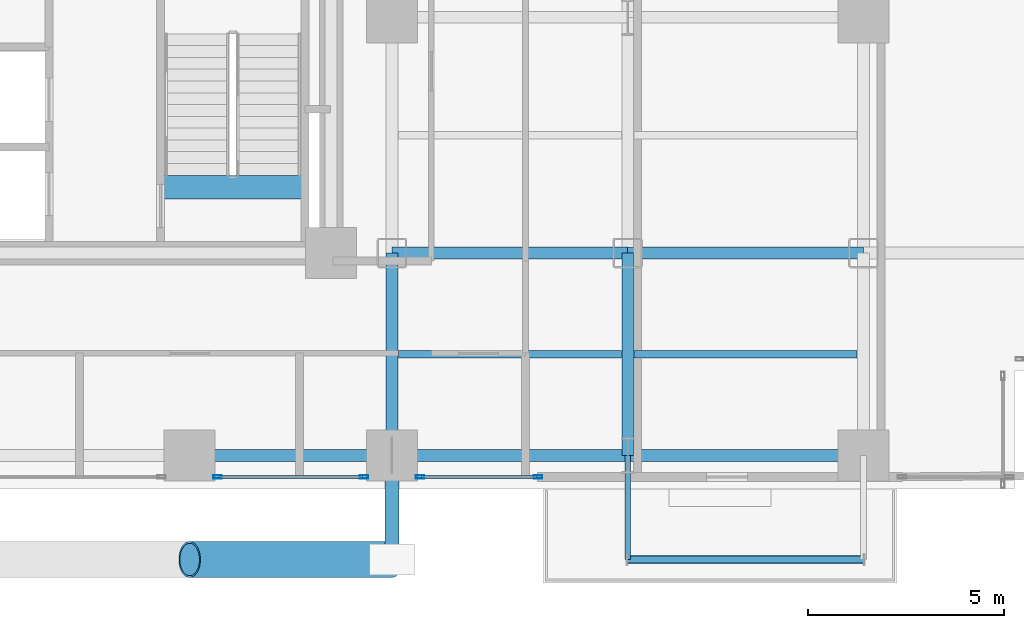
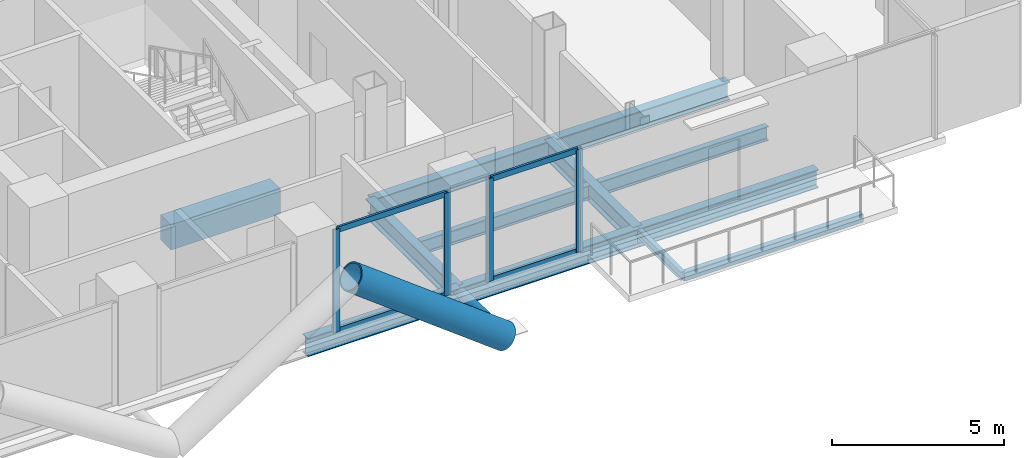
# One storey, part 8 of 27: 12 beams, 10 members, 2 elements without a shape of their own.
"""IFC4 building model written with IfcOpenShell, lengths in metres."""

from ifc_helpers import new_model, si_unit, direction, frame, origin, origin_2d, place, context, subcontext, project, spatial, rectangle, hollow_rectangle, hollow_circle, i_section, extrude, material, layer, layer_set, material_profile, profile_set, type_object, element, aggregate, save


model = new_model("IFC4")

# Units and contexts
model_context = context("Model", 3, precision=1e-05, world=origin(), true_north=direction((0.0, 1.0)))
body_context = subcontext(model_context, "Body", "Model", "MODEL_VIEW")
ifc_project = project(units=[si_unit("LENGTHUNIT", "METRE"), si_unit("AREAUNIT", "SQUARE_METRE"), si_unit("VOLUMEUNIT", "CUBIC_METRE"), si_unit("PLANEANGLEUNIT", "RADIAN"), si_unit("MASSUNIT", "GRAM", prefix="KILO"), si_unit("THERMODYNAMICTEMPERATUREUNIT", "KELVIN"), si_unit("POWERUNIT", "WATT")], contexts=[model_context])

# Site, building, storey
site_placement = place(None, origin())
site = spatial("IfcSite", under=ifc_project, at=site_placement, CompositionType="ELEMENT")
building_placement = place(site_placement, origin())
building = spatial("IfcBuilding", under=site, at=building_placement, Name="Svarakhadi Broadcast Tower", CompositionType="ELEMENT")
storey_placement = place(building_placement, frame((0.0, 0.0, 75.300048828125)))
storey = spatial("IfcBuildingStorey", under=building, at=storey_placement, Name="L17", CompositionType="ELEMENT", Elevation=75.300048828125)

# Beams
ifc_material_1 = material(Name="Steel S355J2 (IS 2062 E350C)", Category="steel")
ifc_material_profile_1 = material_profile(ifc_material_1, i_section(OverallWidth=0.199951171875, OverallDepth=0.5, WebThickness=0.01025390625, FlangeThickness=0.01611328125, FilletRadius=0.02099609375, at=origin_2d()), Name="NPB 500x200x91")
ifc_profile_set_1 = profile_set([ifc_material_profile_1], Name="Steel S355J2 (IS 2062 E350C)")
beam_type_1 = type_object("IfcBeamType", Name="Beam_NPB500", PredefinedType="BEAM", material=ifc_profile_set_1)
for number, where, z_axis, x_axis, name in (
    (1, (35.31005859375, 3.425048828125, -0.5), (1.0, 0.0, 0.0), (0.0, 1.0, 0.0), "L17 Secondary Composite Beam SB022"),
    (2, (41.31005859375, 3.425048828125, -0.5), (1.0, 0.0, 0.0), (0.0, 1.0, 0.0), "L17 Secondary Composite Beam SB025"),
):
    element("IfcBeam", number, at=place(storey_placement, frame(where, z_axis=z_axis, x_axis=x_axis)), inside=storey, type_object=beam_type_1, Name=name, PredefinedType="BEAM", context=body_context, shape_type="SweptSolid", body=[
        extrude(i_section(OverallWidth=0.199951171875, OverallDepth=0.5, WebThickness=0.01025390625, FlangeThickness=0.01611328125, FilletRadius=0.02099609375, at=origin_2d()), origin(), (0.0, 0.0, 1.0), 5.679931640625),
    ])

# Curtain wall, members
ifc_material_2 = material(Name="Anodised Bronze Aluminium AA 6063-T6", Category="aluminium")
ifc_layer = layer(ifc_material_2, 0.219970703125)
ifc_layer_set = layer_set([ifc_layer], Name="Anodised Bronze Aluminium AA 6063-T6")
curtain_wall_type = type_object("IfcCurtainWallType", Name="CW_Sys_02", PredefinedType="NOTDEFINED", material=ifc_layer_set)
curtain_wall_1_placement = place(storey_placement, origin())
curtain_wall_1 = element("IfcCurtainWall", 3, at=curtain_wall_1_placement, inside=storey, type_object=curtain_wall_type, Name="L17 South Curtain Wall 17 Bay 1", PredefinedType="NOTDEFINED")
ifc_material_profile_2 = material_profile(ifc_material_2, hollow_rectangle(XDim=0.0849609375, YDim=0.219970703125, WallThickness=0.006103515625, at=origin_2d()), Name="ALU MULLION 220x85x6")
ifc_profile_set_2 = profile_set([ifc_material_profile_2], Name="Anodised Bronze Aluminium AA 6063-T6")
member_type_1 = type_object("IfcMemberType", Name="CW_Sys_02_Mul", PredefinedType="MULLION", material=ifc_profile_set_2)
member_1_placement = place(storey_placement, frame((38.867431640625, 0.300048828125, 0.0), z_axis=(0.0, 0.0, 1.0), x_axis=(0.0, -1.0, 0.0)))
member_1 = element("IfcMember", 4, at=member_1_placement, type_object=member_type_1, Name="CW-02 mullion 1", PredefinedType="MULLION", context=body_context, shape_type="SweptSolid", body=[
    extrude(hollow_rectangle(XDim=0.0849609375, YDim=0.219970703125, WallThickness=0.006103515625, at=origin_2d()), origin(), (0.0, 0.0, 1.0), 3.64990234375),
])
member_2_placement = place(storey_placement, frame((35.862548828125, 0.300048828125, 0.0), z_axis=(0.0, 0.0, 1.0), x_axis=(0.0, -1.0, 0.0)))
member_2 = element("IfcMember", 5, at=member_2_placement, type_object=member_type_1, Name="CW-02 mullion 2", PredefinedType="MULLION", context=body_context, shape_type="SweptSolid", body=[
    extrude(hollow_rectangle(XDim=0.0849609375, YDim=0.219970703125, WallThickness=0.006103515625, at=origin_2d()), origin(), (0.0, 0.0, 1.0), 3.64990234375),
])

curtain_wall_2_placement = place(storey_placement, origin())
curtain_wall_2 = element("IfcCurtainWall", 6, at=curtain_wall_2_placement, inside=storey, type_object=curtain_wall_type, Name="L17 South Curtain Wall 17 Bay 2", PredefinedType="NOTDEFINED")
member_3_placement = place(storey_placement, frame((34.4375, 0.300048828125, 0.0), z_axis=(0.0, 0.0, 1.0), x_axis=(0.0, -1.0, 0.0)))
member_3 = element("IfcMember", 7, at=member_3_placement, type_object=member_type_1, Name="CW-02 mullion 1", PredefinedType="MULLION", context=body_context, shape_type="SweptSolid", body=[
    extrude(hollow_rectangle(XDim=0.0849609375, YDim=0.219970703125, WallThickness=0.006103515625, at=origin_2d()), origin(), (0.0, 0.0, 1.0), 3.64990234375),
])
member_4_placement = place(storey_placement, frame((30.71240234375, 0.300048828125, 0.0), z_axis=(0.0, 0.0, 1.0), x_axis=(0.0, -1.0, 0.0)))
member_4 = element("IfcMember", 8, at=member_4_placement, type_object=member_type_1, Name="CW-02 mullion 2", PredefinedType="MULLION", context=body_context, shape_type="SweptSolid", body=[
    extrude(hollow_rectangle(XDim=0.0849609375, YDim=0.219970703125, WallThickness=0.006103515625, at=origin_2d()), origin(), (0.0, 0.0, 1.0), 3.64990234375),
])

# Member
ifc_material_profile_3 = material_profile(ifc_material_2, hollow_rectangle(XDim=0.074951171875, YDim=0.199951171875, WallThickness=0.0048828125, at=origin_2d()), Name="ALU TRANSOM 200x75x5")
ifc_profile_set_3 = profile_set([ifc_material_profile_3], Name="Anodised Bronze Aluminium AA 6063-T6")
member_type_2 = type_object("IfcMemberType", Name="CW_Sys_02_Trn", PredefinedType="USERDEFINED", material=ifc_profile_set_3)
member_5_placement = place(storey_placement, frame((38.824951171875, 0.300048828125, 0.037353515625), z_axis=(-1.0, 0.0, 0.0), x_axis=(0.0, -1.0, 0.0)))
member_5 = element("IfcMember", 9, at=member_5_placement, type_object=member_type_2, Name="CW-02 transom 1.1", ObjectType="TRANSOM", PredefinedType="USERDEFINED", context=body_context, shape_type="SweptSolid", body=[
    extrude(hollow_rectangle(XDim=0.074951171875, YDim=0.199951171875, WallThickness=0.0048828125, at=origin_2d()), origin(), (0.0, 0.0, 1.0), 2.919921875),
])

member_6_placement = place(storey_placement, frame((38.824951171875, 0.300048828125, 3.612548828125), z_axis=(-1.0, 0.0, 0.0), x_axis=(0.0, -1.0, 0.0)))
member_6 = element("IfcMember", 10, at=member_6_placement, type_object=member_type_2, Name="CW-02 transom 1.2", ObjectType="TRANSOM", PredefinedType="USERDEFINED", context=body_context, shape_type="SweptSolid", body=[
    extrude(hollow_rectangle(XDim=0.074951171875, YDim=0.199951171875, WallThickness=0.0048828125, at=origin_2d()), origin(), (0.0, 0.0, 1.0), 2.919921875),
])

aggregate(curtain_wall_1, [member_1, member_2, member_5, member_6])

member_7_placement = place(storey_placement, frame((34.39501953125, 0.300048828125, 0.037353515625), z_axis=(-1.0, 0.0, 0.0), x_axis=(0.0, -1.0, 0.0)))
member_7 = element("IfcMember", 11, at=member_7_placement, type_object=member_type_2, Name="CW-02 transom 1.1", ObjectType="TRANSOM", PredefinedType="USERDEFINED", context=body_context, shape_type="SweptSolid", body=[
    extrude(hollow_rectangle(XDim=0.074951171875, YDim=0.199951171875, WallThickness=0.0048828125, at=origin_2d()), origin(), (0.0, 0.0, 1.0), 3.64013671875),
])

member_8_placement = place(storey_placement, frame((34.39501953125, 0.300048828125, 3.612548828125), z_axis=(-1.0, 0.0, 0.0), x_axis=(0.0, -1.0, 0.0)))
member_8 = element("IfcMember", 12, at=member_8_placement, type_object=member_type_2, Name="CW-02 transom 1.2", ObjectType="TRANSOM", PredefinedType="USERDEFINED", context=body_context, shape_type="SweptSolid", body=[
    extrude(hollow_rectangle(XDim=0.074951171875, YDim=0.199951171875, WallThickness=0.0048828125, at=origin_2d()), origin(), (0.0, 0.0, 1.0), 3.64013671875),
])

aggregate(curtain_wall_2, [member_3, member_4, member_7, member_8])

# Beam
ifc_material_3 = material(Name="Concrete C50/60 (IS 456 M60)", Category="concrete")
ifc_material_profile_4 = material_profile(ifc_material_3, rectangle(XDim=0.60009765625, YDim=0.89990234375, at=origin_2d()), Name="RC 600x900")
ifc_profile_set_4 = profile_set([ifc_material_profile_4], Name="Concrete C50/60 (IS 456 M60)")
beam_type_2 = type_object("IfcBeamType", Name="Coupling_RC600", PredefinedType="USERDEFINED", material=ifc_profile_set_4)
beam_1_placement = place(storey_placement, frame((29.260009765625, 7.679931640625, -0.449951171875), z_axis=(1.0, 0.0, 0.0), x_axis=(0.0, 1.0, 0.0)))
element("IfcBeam", 13, at=beam_1_placement, inside=storey, type_object=beam_type_2, Name="L17 Stair ST-02 Landing Throat Trimmer Beam CB-01", ObjectType="GIRDER", PredefinedType="USERDEFINED", context=body_context, shape_type="SweptSolid", body=[
    extrude(rectangle(XDim=0.60009765625, YDim=0.89990234375, at=origin_2d()), origin(), (0.0, 0.0, 1.0), 3.679931640625),
])

# Members
ifc_material_4 = material(Name="Steel S460ML (IS 2062 E450BR)", Category="steel")
ifc_material_profile_5 = material_profile(ifc_material_4, hollow_circle(Radius=0.45703125, WallThickness=0.044921875, at=origin_2d()), Name="CHS 914x45")
ifc_profile_set_5 = profile_set([ifc_material_profile_5], Name="Steel S460ML (IS 2062 E450BR)")
member_type_3 = type_object("IfcMemberType", Name="Exo_Brace_CHS914", PredefinedType="BRACE", material=ifc_profile_set_5)
member_9_placement = place(storey_placement, frame((35.14990234375, -1.800048828125, -0.427734375), z_axis=(-0.797206791841, 0.0, 0.603706328476), x_axis=(0.0, -1.0, 0.0)))
element("IfcMember", 14, at=member_9_placement, inside=storey, type_object=member_type_3, Name="L17 Exposed Bronze Exoskeleton Diagonal S05", PredefinedType="BRACE", context=body_context, shape_type="SweptSolid", body=[
    extrude(hollow_circle(Radius=0.45703125, WallThickness=0.044921875, at=origin_2d()), origin(), (0.0, 0.0, 1.0), 6.4599609375),
])
ifc_material_profile_6 = material_profile(ifc_material_4, hollow_circle(Radius=0.177734375, WallThickness=0.02001953125, at=origin_2d()), Name="CHS 355.6x20")
ifc_profile_set_6 = profile_set([ifc_material_profile_6], Name="Steel S460ML (IS 2062 E450BR)")
member_type_4 = type_object("IfcMemberType", Name="Exo_Radial_Strut_Z1", PredefinedType="STRUT", material=ifc_profile_set_6)
member_10_placement = place(storey_placement, frame((35.14990234375, -1.800048828125, -0.427734375), z_axis=(0.0, 1.0, 0.0), x_axis=(-1.0, 0.0, 0.0)))
element("IfcMember", 15, at=member_10_placement, inside=storey, type_object=member_type_4, Name="L17 Exoskeleton Radial Tie Strut S03", PredefinedType="STRUT", context=body_context, shape_type="SweptSolid", body=[
    extrude(hollow_circle(Radius=0.177734375, WallThickness=0.02001953125, at=origin_2d()), origin(), (0.0, 0.0, 1.0), 2.650146484375),
])

# Beams
ifc_material_profile_7 = material_profile(ifc_material_1, i_section(OverallWidth=0.300048828125, OverallDepth=0.64990234375, WebThickness=0.01611328125, FlangeThickness=0.031005859375, FilletRadius=0.027099609375, at=origin_2d()), Name="WPB 650x300x225")
ifc_profile_set_7 = profile_set([ifc_material_profile_7], Name="Steel S355J2 (IS 2062 E350C)")
beam_type_3 = type_object("IfcBeamType", Name="Girder_WPB650", PredefinedType="USERDEFINED", material=ifc_profile_set_7)
beam_2_placement = place(storey_placement, frame((30.0, 0.85009765625, -0.574951171875), z_axis=(1.0, 0.0, 0.0), x_axis=(0.0, 1.0, 0.0)))
element("IfcBeam", 16, at=beam_2_placement, inside=storey, type_object=beam_type_3, Name="L17 Primary E-W Girder G008", ObjectType="GIRDER", PredefinedType="USERDEFINED", context=body_context, shape_type="SweptSolid", body=[
    extrude(i_section(OverallWidth=0.300048828125, OverallDepth=0.64990234375, WebThickness=0.01611328125, FlangeThickness=0.031005859375, FilletRadius=0.027099609375, at=origin_2d()), origin(), (0.0, 0.0, 1.0), 5.14990234375),
])
for number, where, z_axis, x_axis, name in (
    (17, (35.14990234375, 0.85009765625, -0.574951171875), (1.0, 0.0, 0.0), (0.0, 1.0, 0.0), "L17 Primary E-W Girder G009"),
    (18, (41.14990234375, 0.85009765625, -0.574951171875), (1.0, 0.0, 0.0), (0.0, 1.0, 0.0), "L17 Primary E-W Girder G010"),
    (19, (35.14990234375, 6.0, -0.574951171875), (1.0, 0.0, 0.0), (0.0, 1.0, 0.0), "L17 Primary E-W Girder G016"),
    (20, (41.14990234375, 6.0, -0.574951171875), (1.0, 0.0, 0.0), (0.0, 1.0, 0.0), "L17 Primary E-W Girder G017"),
):
    element("IfcBeam", number, at=place(storey_placement, frame(where, z_axis=z_axis, x_axis=x_axis)), inside=storey, type_object=beam_type_3, Name=name, ObjectType="GIRDER", PredefinedType="USERDEFINED", context=body_context, shape_type="SweptSolid", body=[
        extrude(i_section(OverallWidth=0.300048828125, OverallDepth=0.64990234375, WebThickness=0.01611328125, FlangeThickness=0.031005859375, FilletRadius=0.027099609375, at=origin_2d()), origin(), (0.0, 0.0, 1.0), 6.0),
    ])
for number, where, z_axis, x_axis, name in (
    (21, (35.14990234375, 0.85009765625, -0.574951171875), (0.0, 1.0, 0.0), (-1.0, 0.0, 0.0), "L17 Primary N-S Girder G076"),
    (22, (41.14990234375, 0.85009765625, -0.574951171875), (0.0, 1.0, 0.0), (-1.0, 0.0, 0.0), "L17 Primary N-S Girder G079"),
):
    element("IfcBeam", number, at=place(storey_placement, frame(where, z_axis=z_axis, x_axis=x_axis)), inside=storey, type_object=beam_type_3, Name=name, ObjectType="GIRDER", PredefinedType="USERDEFINED", context=body_context, shape_type="SweptSolid", body=[
        extrude(i_section(OverallWidth=0.300048828125, OverallDepth=0.64990234375, WebThickness=0.01611328125, FlangeThickness=0.031005859375, FilletRadius=0.027099609375, at=origin_2d()), origin(), (0.0, 0.0, 1.0), 5.14990234375),
    ])
ifc_material_profile_8 = material_profile(ifc_material_1, i_section(OverallWidth=0.14990234375, OverallDepth=0.300048828125, WebThickness=0.007080078125, FlangeThickness=0.0107421875, FilletRadius=0.014892578125, at=origin_2d()), Name="NPB 300x150x37")
ifc_profile_set_8 = profile_set([ifc_material_profile_8], Name="Steel S355J2 (IS 2062 E350C)")
beam_type_4 = type_object("IfcBeamType", Name="Spandrel_NPB300", PredefinedType="SPANDREL", material=ifc_profile_set_8)
beam_3_placement = place(storey_placement, frame((41.14990234375, 0.85009765625, -0.400146484375), z_axis=(0.0, -1.0, 0.0), x_axis=(1.0, 0.0, 0.0)))
element("IfcBeam", 23, at=beam_3_placement, inside=storey, type_object=beam_type_4, Name="L17 Balcony Cantilever Bracket 1A", PredefinedType="SPANDREL", context=body_context, shape_type="SweptSolid", body=[
    extrude(i_section(OverallWidth=0.14990234375, OverallDepth=0.300048828125, WebThickness=0.007080078125, FlangeThickness=0.0107421875, FilletRadius=0.014892578125, at=origin_2d()), origin(), (0.0, 0.0, 1.0), 2.650146484375),
])
ifc_material_profile_9 = material_profile(ifc_material_4, hollow_rectangle(XDim=0.199951171875, YDim=0.300048828125, WallThickness=0.012451171875, InnerFilletRadius=0.012451171875, OuterFilletRadius=0.02490234375, at=origin_2d()), Name="RHS 300x200x12.5")
ifc_profile_set_9 = profile_set([ifc_material_profile_9], Name="Steel S460ML (IS 2062 E450BR)")
beam_type_5 = type_object("IfcBeamType", Name="Spandrel_RHS300", PredefinedType="SPANDREL", material=ifc_profile_set_9)
beam_4_placement = place(storey_placement, frame((41.14990234375, -1.800048828125, -0.400146484375), z_axis=(1.0, 0.0, 0.0), x_axis=(0.0, 1.0, 0.0)))
element("IfcBeam", 24, at=beam_4_placement, inside=storey, type_object=beam_type_5, Name="L17 Balcony Outer Spandrel 1F", PredefinedType="SPANDREL", context=body_context, shape_type="SweptSolid", body=[
    extrude(hollow_rectangle(XDim=0.199951171875, YDim=0.300048828125, WallThickness=0.012451171875, InnerFilletRadius=0.012451171875, OuterFilletRadius=0.02490234375, at=origin_2d()), origin(), (0.0, 0.0, 1.0), 6.0),
])

save(model, "model.ifc")
